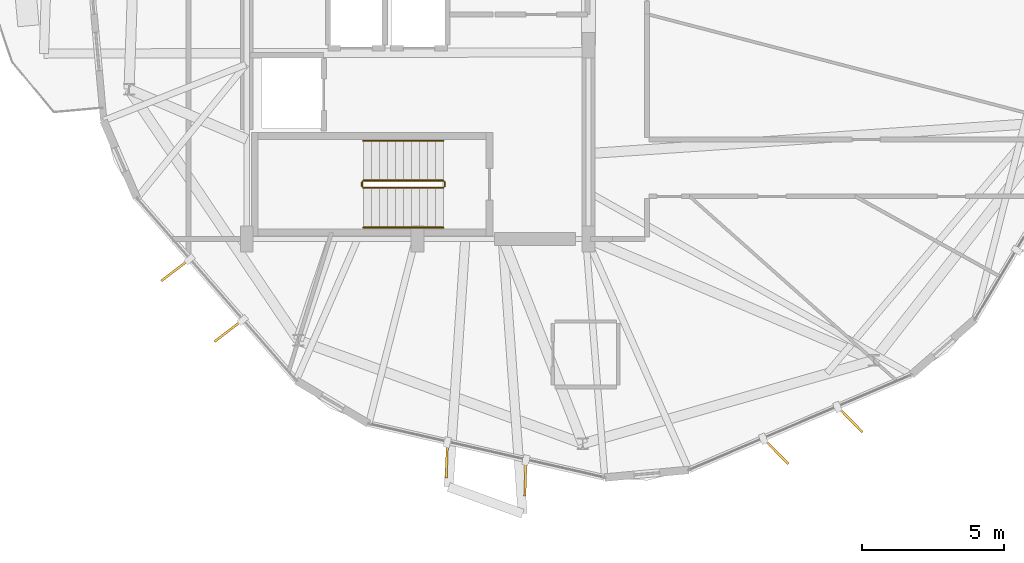
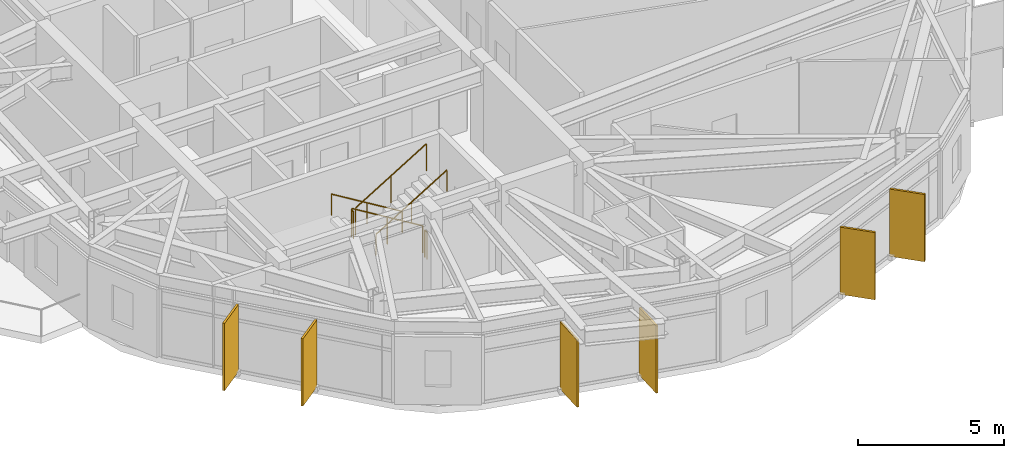
# One storey, part 21 of 23: 6 railings, 6 shading devices.
"""IFC4 building model written with IfcOpenShell, lengths in metres."""

from ifc_helpers import new_model, si_unit, direction, frame, origin, origin_2d, place, context, subcontext, project, spatial, rectangle, circle, extrude, material, layer, layer_set, type_object, element, save


model = new_model("IFC4")

# Units and contexts
model_context = context("Model", 3, precision=1e-05, world=origin(), true_north=direction((0.0, 1.0)))
body_context = subcontext(model_context, "Body", "Model", "MODEL_VIEW")
ifc_project = project(units=[si_unit("LENGTHUNIT", "METRE"), si_unit("AREAUNIT", "SQUARE_METRE"), si_unit("VOLUMEUNIT", "CUBIC_METRE"), si_unit("PLANEANGLEUNIT", "RADIAN"), si_unit("MASSUNIT", "GRAM", prefix="KILO")], contexts=[model_context])

# Site, building, storey
site_placement = place(None, origin())
site = spatial("IfcSite", under=ifc_project, at=site_placement, CompositionType="ELEMENT")
building_placement = place(site_placement, origin())
building = spatial("IfcBuilding", under=site, at=building_placement, Name="Soratama Intermodal Tower", CompositionType="ELEMENT")
storey_placement = place(building_placement, frame((0.0, 0.0, 250.0)))
storey = spatial("IfcBuildingStorey", under=building, at=storey_placement, Name="L63", CompositionType="ELEMENT", Elevation=250.0)

# Railings
ifc_material_1 = material(Name="Painted steel stair guardrail", Category="steel")
railing_type_1 = type_object("IfcRailingType", Name="RL-STAIR-GUARD", PredefinedType="GUARDRAIL", material=ifc_material_1)
railing_1_placement = place(storey_placement, frame((39.5, 17.050048828125, 0.17041015625)))
element("IfcRailing", 1, at=railing_1_placement, inside=storey, type_object=railing_type_1, Name="L63 ST-1 stair guard 1", PredefinedType="GUARDRAIL", context=body_context, shape_type="SweptSolid", body=[
    extrude(circle(Radius=0.02392578125, at=origin_2d()), frame((0.0, 0.0, 1.1259765625), z_axis=(-0.854169791009, 0.0, 0.51999420009), x_axis=(0.0, -1.0, 0.0)), (0.0, 0.0, 1.0), 3.278076171875),
    extrude(circle(Radius=0.02099609375, at=origin_2d()), origin(), (0.0, 0.0, 1.0), 1.101806640625),
    extrude(circle(Radius=0.02099609375, at=origin_2d()), frame((-1.39990234375, 0.0, 0.852294921875)), (0.0, 0.0, 1.0), 1.101806640625),
    extrude(circle(Radius=0.02099609375, at=origin_2d()), frame((-2.800048828125, 0.0, 1.70458984375)), (0.0, 0.0, 1.0), 1.101806640625),
])
railing_2_placement = place(storey_placement, frame((36.64990234375, 17.0, 1.875)))
element("IfcRailing", 2, at=railing_2_placement, inside=storey, type_object=railing_type_1, Name="L63 ST-1 stair guard 2", PredefinedType="GUARDRAIL", context=body_context, shape_type="SweptSolid", body=[
    extrude(circle(Radius=0.02392578125, at=origin_2d()), frame((0.0, 0.0, 1.1259765625), z_axis=(0.0, -1.0, 0.0), x_axis=(1.0, 0.0, 0.0)), (0.0, 0.0, 1.0), 0.14990234375),
    extrude(circle(Radius=0.02099609375, at=origin_2d()), origin(), (0.0, 0.0, 1.0), 1.101806640625),
    extrude(circle(Radius=0.02099609375, at=origin_2d()), frame((0.0, -0.14990234375, 0.0)), (0.0, 0.0, 1.0), 1.101806640625),
])
railing_3_placement = place(storey_placement, frame((36.699951171875, 16.800048828125, 2.04541015625)))
element("IfcRailing", 3, at=railing_3_placement, inside=storey, type_object=railing_type_1, Name="L63 ST-1 stair guard 3", PredefinedType="GUARDRAIL", context=body_context, shape_type="SweptSolid", body=[
    extrude(circle(Radius=0.02392578125, at=origin_2d()), frame((0.0, 0.0, 1.1259765625), z_axis=(0.854169791009, 0.0, 0.51999420009), x_axis=(0.0, 1.0, 0.0)), (0.0, 0.0, 1.0), 3.278076171875),
    extrude(circle(Radius=0.02099609375, at=origin_2d()), origin(), (0.0, 0.0, 1.0), 1.101806640625),
    extrude(circle(Radius=0.02099609375, at=origin_2d()), frame((1.39990234375, 0.0, 0.852294921875)), (0.0, 0.0, 1.0), 1.101806640625),
    extrude(circle(Radius=0.02099609375, at=origin_2d()), frame((2.800048828125, 0.0, 1.70458984375)), (0.0, 0.0, 1.0), 1.101806640625),
])
railing_4_placement = place(storey_placement, frame((39.550048828125, 17.0, 0.0)))
element("IfcRailing", 4, at=railing_4_placement, inside=storey, type_object=railing_type_1, Name="L63 ST-1 stair guard 4", PredefinedType="GUARDRAIL", context=body_context, shape_type="SweptSolid", body=[
    extrude(circle(Radius=0.02392578125, at=origin_2d()), frame((0.0, 0.0, 1.1259765625), z_axis=(0.0, -1.0, 0.0), x_axis=(1.0, 0.0, 0.0)), (0.0, 0.0, 1.0), 0.14990234375),
    extrude(circle(Radius=0.02099609375, at=origin_2d()), origin(), (0.0, 0.0, 1.0), 1.101806640625),
    extrude(circle(Radius=0.02099609375, at=origin_2d()), frame((0.0, -0.14990234375, 0.0)), (0.0, 0.0, 1.0), 1.101806640625),
])
ifc_material_2 = material(Name="Brushed stainless steel handrail", Category="steel")
railing_type_2 = type_object("IfcRailingType", Name="RL-STAIR-HAND", PredefinedType="HANDRAIL", material=ifc_material_2)
railing_5_placement = place(storey_placement, frame((39.5, 18.449951171875, 0.17041015625)))
element("IfcRailing", 5, at=railing_5_placement, inside=storey, type_object=railing_type_2, Name="L63 ST-1 stair handrail 1", PredefinedType="HANDRAIL", context=body_context, shape_type="SweptSolid", body=[
    extrude(circle(Radius=0.02392578125, at=origin_2d()), frame((0.0, 0.0, 0.8759765625), z_axis=(-0.854169791009, 0.0, 0.51999420009), x_axis=(0.0, -1.0, 0.0)), (0.0, 0.0, 1.0), 3.278076171875),
    extrude(circle(Radius=0.02099609375, at=origin_2d()), origin(), (0.0, 0.0, 1.0), 0.851806640625),
    extrude(circle(Radius=0.02099609375, at=origin_2d()), frame((-1.39990234375, 0.0, 0.852294921875)), (0.0, 0.0, 1.0), 0.851806640625),
    extrude(circle(Radius=0.02099609375, at=origin_2d()), frame((-2.800048828125, 0.0, 1.70458984375)), (0.0, 0.0, 1.0), 0.851806640625),
])
railing_6_placement = place(storey_placement, frame((36.699951171875, 15.39990234375, 2.04541015625)))
element("IfcRailing", 6, at=railing_6_placement, inside=storey, type_object=railing_type_2, Name="L63 ST-1 stair handrail 2", PredefinedType="HANDRAIL", context=body_context, shape_type="SweptSolid", body=[
    extrude(circle(Radius=0.02392578125, at=origin_2d()), frame((0.0, 0.0, 0.8759765625), z_axis=(0.854169791009, 0.0, 0.51999420009), x_axis=(0.0, 1.0, 0.0)), (0.0, 0.0, 1.0), 3.278076171875),
    extrude(circle(Radius=0.02099609375, at=origin_2d()), origin(), (0.0, 0.0, 1.0), 0.851806640625),
    extrude(circle(Radius=0.02099609375, at=origin_2d()), frame((1.39990234375, 0.0, 0.852294921875)), (0.0, 0.0, 1.0), 0.851806640625),
    extrude(circle(Radius=0.02099609375, at=origin_2d()), frame((2.800048828125, 0.0, 1.70458984375)), (0.0, 0.0, 1.0), 0.851806640625),
])

# Shading devices
ifc_material_3 = material(Name="Champagne anodised aluminium solar fin", Category="aluminium")
ifc_layer = layer(ifc_material_3, 0.080078125)
ifc_layer_set = layer_set([ifc_layer], Name="Champagne anodised aluminium solar fin")
shading_device_type = type_object("IfcShadingDeviceType", Name="SH-FIN-1250", PredefinedType="USERDEFINED", material=ifc_layer_set)
for number, where, z_axis, x_axis, name in (
    (7, (30.093994140625, 13.906982421875, 0.02001953125), (0.0, 0.0, 1.0), (-0.794308601354, -0.607514481979, 0.0), "L63 Solar Fin F05-1"),
    (8, (31.958740234375, 11.773681640625, 0.02001953125), (0.0, 0.0, 1.0), (-0.794308601354, -0.607514481979, 0.0), "L63 Solar Fin F05-2"),
    (9, (39.62353515625, 7.2373046875, 0.02001953125), (0.0, 0.0, 1.0), (-0.033852918131, -0.999426825703, 0.0), "L63 Solar Fin F06-1"),
    (10, (42.385986328125, 6.60791015625, 0.02001953125), (0.0, 0.0, 1.0), (-0.033852918131, -0.999426825703, 0.0), "L63 Solar Fin F06-2"),
    (11, (51.18212890625, 7.544189453125, 0.02001953125), (0.0, 0.0, 1.0), (0.701407036201, -0.712760948402, 0.0), "L63 Solar Fin F07-1"),
    (12, (53.787109375, 8.658447265625, 0.02001953125), (0.0, 0.0, 1.0), (0.701407036201, -0.712760948402, 0.0), "L63 Solar Fin F07-2"),
):
    element("IfcShadingDevice", number, at=place(storey_placement, frame(where, z_axis=z_axis, x_axis=x_axis)), inside=storey, type_object=shading_device_type, Name=name, ObjectType="FIN", PredefinedType="USERDEFINED", context=body_context, shape_type="SweptSolid", body=[
        extrude(rectangle(XDim=1.25, YDim=0.080078125, at=origin_2d()), origin(), (0.0, 0.0, 1.0), 2.80908203125),
    ])

save(model, "model.ifc")
